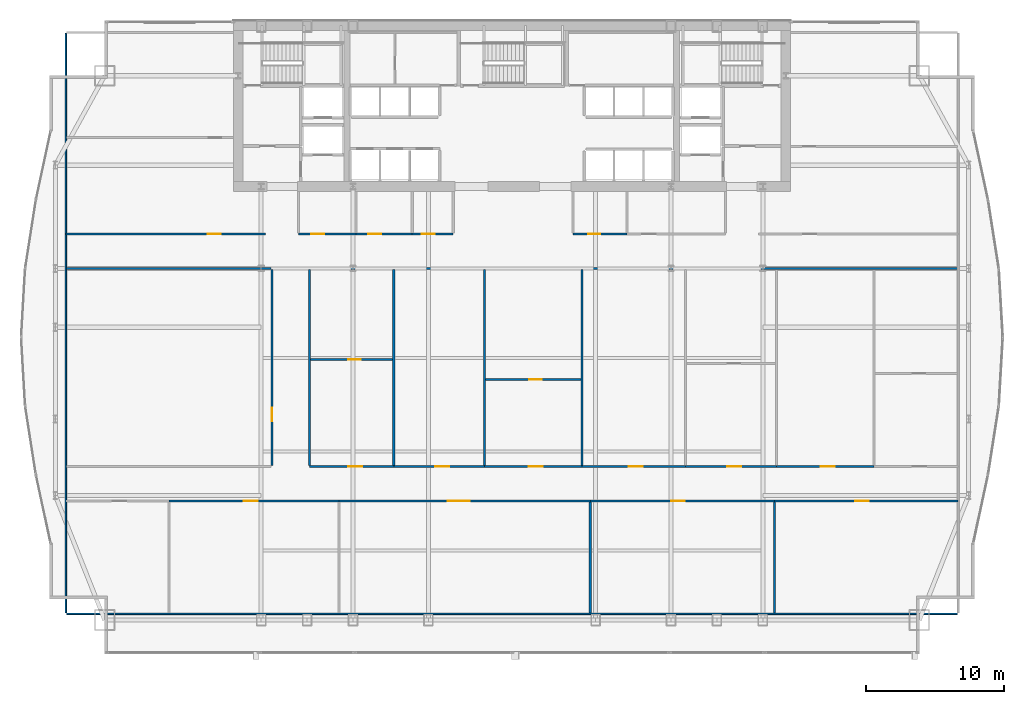
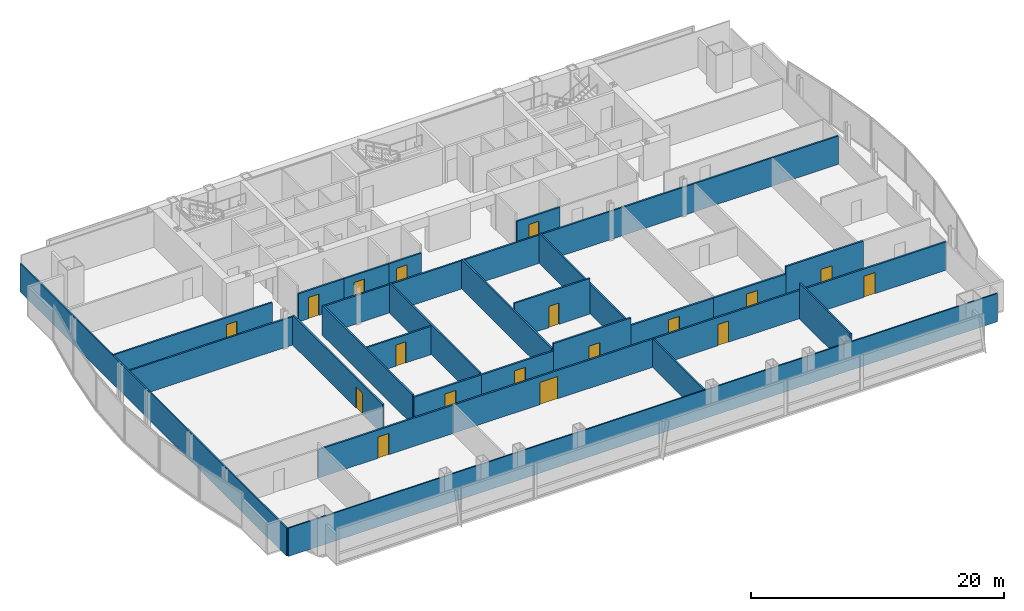
# One storey, part 26 of 32: 28 walls, 18 doors, 18 openings.
"""IFC4 building model written with IfcOpenShell, lengths in metres."""

from ifc_helpers import new_model, si_unit, direction, frame, frame_2d, origin, place, context, subcontext, project, spatial, rectangle, extrude, material, layer, layer_set, type_object, element, fill, save


model = new_model("IFC4")

# Units and contexts
model_context = context("Model", 3, precision=1e-05, world=origin(), true_north=direction((0.0, 1.0)))
body_context = subcontext(model_context, "Body", "Model", "MODEL_VIEW")
ifc_project = project(units=[si_unit("LENGTHUNIT", "METRE"), si_unit("AREAUNIT", "SQUARE_METRE"), si_unit("VOLUMEUNIT", "CUBIC_METRE"), si_unit("PLANEANGLEUNIT", "RADIAN"), si_unit("MASSUNIT", "GRAM", prefix="KILO")], contexts=[model_context])

# Site, building, storey
site_placement = place(None, origin())
site = spatial("IfcSite", under=ifc_project, at=site_placement, CompositionType="ELEMENT")
building_placement = place(site_placement, origin())
building = spatial("IfcBuilding", under=site, at=building_placement, Name="Khoronbel Lancet Exchange", CompositionType="ELEMENT")
storey_placement = place(building_placement, frame((0.0, 0.0, 111.0)))
storey = spatial("IfcBuildingStorey", under=building, at=storey_placement, Name="L26", CompositionType="ELEMENT", Elevation=111.0)

# Wall, opening, door
ifc_material_1 = material(Name="Acoustic Metal-Stud & Mineral-Wool Gypsum Partition 120 mm", Category="gypsum")
ifc_layer_1 = layer(ifc_material_1, 0.1201171875, Name="Acoustic Metal-Stud & Mineral-Wool Gypsum Partition 120 mm")
ifc_layer_set_1 = layer_set([ifc_layer_1], Name="Acoustic Metal-Stud & Mineral-Wool Gypsum Partition 120 mm")
wall_type_1 = type_object("IfcWallType", Name="WL-PRT120", PredefinedType="PARTITIONING", material=ifc_layer_set_1)
wall_1_placement = place(storey_placement, frame((21.81005859375, 29.075927734375, 0.0), z_axis=(0.0, 0.0, 1.0), x_axis=(1.0, 0.0, 0.0)))
wall_1 = element("IfcWall", 1, at=wall_1_placement, inside=storey, type_object=wall_type_1, Name="Level L26 interior partition PW-Z2N-H1", PredefinedType="PARTITIONING", context=body_context, shape_type="SweptSolid", body=[
    extrude(rectangle(XDim=5.96826171875, YDim=0.14990234375, at=frame_2d((2.984130859375, 0.0))), origin(), (0.0, 0.0, 1.0), 2.72998046875),
])
opening_1_placement = place(wall_1_placement, frame((2.7578125, 0.0, 0.0)))
opening_1 = element("IfcOpeningElement", 2, at=opening_1_placement, cuts=wall_1, Name="Opening D5", PredefinedType="OPENING", context=body_context, shape_type="SweptSolid", body=[
    extrude(rectangle(XDim=0.89990234375, YDim=2.050048828125, at=frame_2d((0.449951171875, 1.02490234375))), frame((0.0, 0.0849609375, 0.0), z_axis=(0.0, -1.0, 0.0), x_axis=(1.0, 0.0, 0.0)), (0.0, 0.0, 1.0), 0.169921875),
])
ifc_material_2 = material(Name="Acoustic Timber Pantry & Support Door", Category="wood")
door_type_1 = type_object("IfcDoorType", Name="DR-D5", OperationType="NOTDEFINED", PredefinedType="DOOR", material=ifc_material_2)
door_1_placement = place(opening_1_placement, origin())
door_1 = element("IfcDoor", 3, at=door_1_placement, inside=storey, type_object=door_type_1, Name="Z2N inner door 1 L26-1", OperationType="SINGLE_SWING_LEFT", OverallHeight=2.050048828125, OverallWidth=0.89990234375, PredefinedType="DOOR", context=body_context, shape_type="SweptSolid", body=[
    extrude(rectangle(XDim=0.89990234375, YDim=2.050048828125, at=frame_2d((0.449951171875, 1.02490234375))), frame((0.0, 0.02490234375, 0.0), z_axis=(0.0, -1.0, 0.0), x_axis=(1.0, 0.0, 0.0)), (0.0, 0.0, 1.0), 0.050048828125),
])
fill(opening_1, door_1)

wall_2_placement = place(storey_placement, frame((34.537841796875, 27.635986328125, 0.0), z_axis=(0.0, 0.0, 1.0), x_axis=(1.0, 0.0, 0.0)))
wall_2 = element("IfcWall", 4, at=wall_2_placement, inside=storey, type_object=wall_type_1, Name="Level L26 interior partition PW-Z2N-H3", PredefinedType="PARTITIONING", context=body_context, shape_type="SweptSolid", body=[
    extrude(rectangle(XDim=6.910888671875, YDim=0.14990234375, at=frame_2d((3.45556640625, 0.0))), origin(), (0.0, 0.0, 1.0), 3.43994140625),
])
opening_2_placement = place(wall_2_placement, frame((3.181884765625, 0.0, 0.0)))
opening_2 = element("IfcOpeningElement", 5, at=opening_2_placement, cuts=wall_2, Name="Opening D5", PredefinedType="OPENING", context=body_context, shape_type="SweptSolid", body=[
    extrude(rectangle(XDim=0.89990234375, YDim=2.050048828125, at=frame_2d((0.449951171875, 1.02490234375))), frame((0.0, 0.0849609375, 0.0), z_axis=(0.0, -1.0, 0.0), x_axis=(1.0, 0.0, 0.0)), (0.0, 0.0, 1.0), 0.169921875),
])
door_2_placement = place(opening_2_placement, origin())
door_2 = element("IfcDoor", 6, at=door_2_placement, inside=storey, type_object=door_type_1, Name="Z2N inner door 3 L26-1", OperationType="SINGLE_SWING_RIGHT", OverallHeight=2.050048828125, OverallWidth=0.89990234375, PredefinedType="DOOR", context=body_context, shape_type="SweptSolid", body=[
    extrude(rectangle(XDim=0.89990234375, YDim=2.050048828125, at=frame_2d((0.449951171875, 1.02490234375))), frame((0.0, 0.02490234375, 0.0), z_axis=(0.0, -1.0, 0.0), x_axis=(1.0, 0.0, 0.0)), (0.0, 0.0, 1.0), 0.050048828125),
])
fill(opening_2, door_2)

# Walls
wall_3_placement = place(storey_placement, frame((4.030029296875, 10.6650390625, 0.0), z_axis=(0.0, 0.0, 1.0), x_axis=(0.0, 1.0, 0.0)))
element("IfcWall", 7, at=wall_3_placement, inside=storey, type_object=wall_type_1, Name="Level L26 interior partition PW-LIN-W", PredefinedType="PARTITIONING", context=body_context, shape_type="SweptSolid", body=[
    extrude(rectangle(XDim=42.10986328125, YDim=0.1201171875, at=frame_2d((21.054931640625, 0.0))), origin(), (0.0, 0.0, 1.0), 2.72998046875),
])
wall_4_placement = place(storey_placement, frame((4.094970703125, 10.60009765625, 0.0), z_axis=(0.0, 0.0, 1.0), x_axis=(1.0, 0.0, 0.0)))
element("IfcWall", 8, at=wall_4_placement, inside=storey, type_object=wall_type_1, Name="Level L26 interior partition PW-LIN-S", PredefinedType="PARTITIONING", context=body_context, shape_type="SweptSolid", body=[
    extrude(rectangle(XDim=64.7099609375, YDim=0.1201171875, at=frame_2d((32.35498046875, 0.0))), origin(), (0.0, 0.0, 1.0), 2.72998046875),
])

# Wall, opening, door
ifc_material_3 = material(Name="Fire-Rated Twin-Stud Acoustic Gypsum Partition 150 mm", Category="gypsum")
ifc_layer_2 = layer(ifc_material_3, 0.14990234375, Name="Fire-Rated Twin-Stud Acoustic Gypsum Partition 150 mm")
ifc_layer_set_2 = layer_set([ifc_layer_2], Name="Fire-Rated Twin-Stud Acoustic Gypsum Partition 150 mm")
wall_type_2 = type_object("IfcWallType", Name="WL-PRT150C", PredefinedType="PARTITIONING", material=ifc_layer_set_2)
wall_5_placement = place(storey_placement, frame((20.949951171875, 38.199951171875, 0.0), z_axis=(0.0, 0.0, 1.0), x_axis=(1.0, 0.0, 0.0)))
wall_5 = element("IfcWall", 9, at=wall_5_placement, inside=storey, type_object=wall_type_2, Name="Level L26 interior partition PW-WC-S1", PredefinedType="PARTITIONING", context=body_context, shape_type="SweptSolid", body=[
    extrude(rectangle(XDim=4.150146484375, YDim=0.14990234375, at=frame_2d((2.0751953125, 0.0))), origin(), (0.0, 0.0, 1.0), 2.72998046875),
])
opening_3_placement = place(wall_5_placement, frame((0.89990234375, 0.0, 0.0)))
opening_3 = element("IfcOpeningElement", 10, at=opening_3_placement, cuts=wall_5, Name="Opening D4", PredefinedType="OPENING", context=body_context, shape_type="SweptSolid", body=[
    extrude(rectangle(XDim=0.949951171875, YDim=2.050048828125, at=frame_2d((0.47509765625, 1.02490234375))), frame((0.0, 0.0849609375, 0.0), z_axis=(0.0, -1.0, 0.0), x_axis=(1.0, 0.0, 0.0)), (0.0, 0.0, 1.0), 0.169921875),
])
ifc_material_4 = material(Name="Moisture-Resistant HPL Washroom Door", Category="wood")
door_type_2 = type_object("IfcDoorType", Name="DR-D4", OperationType="NOTDEFINED", PredefinedType="DOOR", material=ifc_material_4)
door_3_placement = place(opening_3_placement, origin())
door_3 = element("IfcDoor", 11, at=door_3_placement, inside=storey, type_object=door_type_2, Name="Male washroom door L26-1", OperationType="SINGLE_SWING_RIGHT", OverallHeight=2.050048828125, OverallWidth=0.949951171875, PredefinedType="DOOR", context=body_context, shape_type="SweptSolid", body=[
    extrude(rectangle(XDim=0.949951171875, YDim=2.050048828125, at=frame_2d((0.47509765625, 1.02490234375))), frame((0.0, 0.02490234375, 0.0), z_axis=(0.0, -1.0, 0.0), x_axis=(1.0, 0.0, 0.0)), (0.0, 0.0, 1.0), 0.050048828125),
])
fill(opening_3, door_3)

wall_6_placement = place(storey_placement, frame((25.10009765625, 38.199951171875, 0.0), z_axis=(0.0, 0.0, 1.0), x_axis=(1.0, 0.0, 0.0)))
wall_6 = element("IfcWall", 12, at=wall_6_placement, inside=storey, type_object=wall_type_2, Name="Level L26 interior partition PW-WC-S2", PredefinedType="PARTITIONING", context=body_context, shape_type="SweptSolid", body=[
    extrude(rectangle(XDim=4.099853515625, YDim=0.14990234375, at=frame_2d((2.0498046875, 0.0))), origin(), (0.0, 0.0, 1.0), 2.72998046875),
])
opening_4_placement = place(wall_6_placement, frame((0.89990234375, 0.0, 0.0)))
opening_4 = element("IfcOpeningElement", 13, at=opening_4_placement, cuts=wall_6, Name="Opening D4", PredefinedType="OPENING", context=body_context, shape_type="SweptSolid", body=[
    extrude(rectangle(XDim=0.949951171875, YDim=2.050048828125, at=frame_2d((0.47509765625, 1.02490234375))), frame((0.0, 0.0849609375, 0.0), z_axis=(0.0, -1.0, 0.0), x_axis=(1.0, 0.0, 0.0)), (0.0, 0.0, 1.0), 0.169921875),
])
door_4_placement = place(opening_4_placement, origin())
door_4 = element("IfcDoor", 14, at=door_4_placement, inside=storey, type_object=door_type_2, Name="Female washroom door L26-1", OperationType="SINGLE_SWING_LEFT", OverallHeight=2.050048828125, OverallWidth=0.949951171875, PredefinedType="DOOR", context=body_context, shape_type="SweptSolid", body=[
    extrude(rectangle(XDim=0.949951171875, YDim=2.050048828125, at=frame_2d((0.47509765625, 1.02490234375))), frame((0.0, 0.02490234375, 0.0), z_axis=(0.0, -1.0, 0.0), x_axis=(1.0, 0.0, 0.0)), (0.0, 0.0, 1.0), 0.050048828125),
])
fill(opening_4, door_4)

wall_7_placement = place(storey_placement, frame((29.199951171875, 38.199951171875, 0.0), z_axis=(0.0, 0.0, 1.0), x_axis=(1.0, 0.0, 0.0)))
wall_7 = element("IfcWall", 15, at=wall_7_placement, inside=storey, type_object=wall_type_2, Name="Level L26 interior partition PW-WC-S3", PredefinedType="PARTITIONING", context=body_context, shape_type="SweptSolid", body=[
    extrude(rectangle(XDim=2.97998046875, YDim=0.14990234375, at=frame_2d((1.489990234375, 0.0))), origin(), (0.0, 0.0, 1.0), 2.72998046875),
])
opening_5_placement = place(wall_7_placement, frame((0.699951171875, 0.0, 0.0)))
opening_5 = element("IfcOpeningElement", 16, at=opening_5_placement, cuts=wall_7, Name="Opening D4", PredefinedType="OPENING", context=body_context, shape_type="SweptSolid", body=[
    extrude(rectangle(XDim=0.949951171875, YDim=2.050048828125, at=frame_2d((0.47509765625, 1.02490234375))), frame((0.0, 0.0849609375, 0.0), z_axis=(0.0, -1.0, 0.0), x_axis=(1.0, 0.0, 0.0)), (0.0, 0.0, 1.0), 0.169921875),
])
door_5_placement = place(opening_5_placement, origin())
door_5 = element("IfcDoor", 17, at=door_5_placement, inside=storey, type_object=door_type_2, Name="Accessible WC door L26-1", OperationType="SINGLE_SWING_RIGHT", OverallHeight=2.050048828125, OverallWidth=0.949951171875, PredefinedType="DOOR", context=body_context, shape_type="SweptSolid", body=[
    extrude(rectangle(XDim=0.949951171875, YDim=2.050048828125, at=frame_2d((0.47509765625, 1.02490234375))), frame((0.0, 0.02490234375, 0.0), z_axis=(0.0, -1.0, 0.0), x_axis=(1.0, 0.0, 0.0)), (0.0, 0.0, 1.0), 0.050048828125),
])
fill(opening_5, door_5)

wall_8_placement = place(storey_placement, frame((40.8798828125, 38.199951171875, 0.0), z_axis=(0.0, 0.0, 1.0), x_axis=(1.0, 0.0, 0.0)))
wall_8 = element("IfcWall", 18, at=wall_8_placement, inside=storey, type_object=wall_type_2, Name="Level L26 interior partition PW-NP-S1", PredefinedType="PARTITIONING", context=body_context, shape_type="SweptSolid", body=[
    extrude(rectangle(XDim=3.920166015625, YDim=0.14990234375, at=frame_2d((1.9599609375, 0.0))), origin(), (0.0, 0.0, 1.0), 2.72998046875),
])
opening_6_placement = place(wall_8_placement, frame((1.10009765625, 0.0, 0.0)))
opening_6 = element("IfcOpeningElement", 19, at=opening_6_placement, cuts=wall_8, Name="Opening D5", PredefinedType="OPENING", context=body_context, shape_type="SweptSolid", body=[
    extrude(rectangle(XDim=0.89990234375, YDim=2.050048828125, at=frame_2d((0.449951171875, 1.02490234375))), frame((0.0, 0.0849609375, 0.0), z_axis=(0.0, -1.0, 0.0), x_axis=(1.0, 0.0, 0.0)), (0.0, 0.0, 1.0), 0.169921875),
])
door_6_placement = place(opening_6_placement, origin())
door_6 = element("IfcDoor", 20, at=door_6_placement, inside=storey, type_object=door_type_1, Name="Floor refreshment pantry door L26-1", OperationType="SINGLE_SWING_LEFT", OverallHeight=2.050048828125, OverallWidth=0.89990234375, PredefinedType="DOOR", context=body_context, shape_type="SweptSolid", body=[
    extrude(rectangle(XDim=0.89990234375, YDim=2.050048828125, at=frame_2d((0.449951171875, 1.02490234375))), frame((0.0, 0.02490234375, 0.0), z_axis=(0.0, -1.0, 0.0), x_axis=(1.0, 0.0, 0.0)), (0.0, 0.0, 1.0), 0.050048828125),
])
fill(opening_6, door_6)

wall_9_placement = place(storey_placement, frame((4.030029296875, 38.199951171875, 0.0), z_axis=(0.0, 0.0, 1.0), x_axis=(1.0, 0.0, 0.0)))
wall_9 = element("IfcWall", 21, at=wall_9_placement, inside=storey, type_object=wall_type_2, Name="Level L26 interior partition PW-NW-S", PredefinedType="PARTITIONING", context=body_context, shape_type="SweptSolid", body=[
    extrude(rectangle(XDim=14.52001953125, YDim=0.14990234375, at=frame_2d((7.260009765625, 0.0))), origin(), (0.0, 0.0, 1.0), 2.72998046875),
])
opening_7_placement = place(wall_9_placement, frame((10.320068359375, 0.0, 0.0)))
opening_7 = element("IfcOpeningElement", 22, at=opening_7_placement, cuts=wall_9, Name="Opening D1", PredefinedType="OPENING", context=body_context, shape_type="SweptSolid", body=[
    extrude(rectangle(XDim=0.949951171875, YDim=2.050048828125, at=frame_2d((0.47509765625, 1.02490234375))), frame((0.0, 0.0849609375, 0.0), z_axis=(0.0, -1.0, 0.0), x_axis=(1.0, 0.0, 0.0)), (0.0, 0.0, 1.0), 0.169921875),
])
ifc_material_5 = material(Name="Acoustic Veneered Timber & Bronze Frame Door", Category="wood")
door_type_3 = type_object("IfcDoorType", Name="DR-D1", OperationType="NOTDEFINED", PredefinedType="DOOR", material=ifc_material_5)
door_7_placement = place(opening_7_placement, origin())
door_7 = element("IfcDoor", 23, at=door_7_placement, inside=storey, type_object=door_type_3, Name="NW corner room door L26-1", OperationType="SINGLE_SWING_LEFT", OverallHeight=2.050048828125, OverallWidth=0.949951171875, PredefinedType="DOOR", context=body_context, shape_type="SweptSolid", body=[
    extrude(rectangle(XDim=0.949951171875, YDim=2.050048828125, at=frame_2d((0.47509765625, 1.02490234375))), frame((0.0, 0.02490234375, 0.0), z_axis=(0.0, -1.0, 0.0), x_axis=(1.0, 0.0, 0.0)), (0.0, 0.0, 1.0), 0.050048828125),
])
fill(opening_7, door_7)

# Walls
wall_10_placement = place(storey_placement, frame((42.135986328125, 10.6650390625, 0.0), z_axis=(0.0, 0.0, 1.0), x_axis=(0.0, 1.0, 0.0)))
element("IfcWall", 24, at=wall_10_placement, inside=storey, type_object=wall_type_2, Name="Level L26 interior partition PW-Z2S-V3", PredefinedType="PARTITIONING", context=body_context, shape_type="SweptSolid", body=[
    extrude(rectangle(XDim=8.050048828125, YDim=0.14990234375, at=frame_2d((4.02490234375, 0.0))), origin(), (0.0, 0.0, 1.0), 2.72998046875),
])
wall_11_placement = place(storey_placement, frame((55.51611328125, 10.6650390625, 0.0), z_axis=(0.0, 0.0, 1.0), x_axis=(0.0, 1.0, 0.0)))
element("IfcWall", 25, at=wall_11_placement, inside=storey, type_object=wall_type_2, Name="Level L26 interior partition PW-Z2S-V4", PredefinedType="PARTITIONING", context=body_context, shape_type="SweptSolid", body=[
    extrude(rectangle(XDim=8.050048828125, YDim=0.14990234375, at=frame_2d((4.02490234375, 0.0))), origin(), (0.0, 0.0, 1.0), 3.43994140625),
])

# Wall, opening, door
wall_12_placement = place(storey_placement, frame((19.02001953125, 21.3798828125, 0.0), z_axis=(0.0, 0.0, 1.0), x_axis=(0.0, 1.0, 0.0)))
wall_12 = element("IfcWall", 26, at=wall_12_placement, inside=storey, type_object=wall_type_2, Name="Level L26 interior partition PW-Z2-WLK", PredefinedType="PARTITIONING", context=body_context, shape_type="SweptSolid", body=[
    extrude(rectangle(XDim=14.240234375, YDim=0.14990234375, at=frame_2d((7.1201171875, 0.0))), origin(), (0.0, 0.0, 1.0), 2.8798828125),
])
opening_8_placement = place(wall_12_placement, frame((3.199951171875, 0.0, 0.0)))
opening_8 = element("IfcOpeningElement", 27, at=opening_8_placement, cuts=wall_12, Name="Opening D2", PredefinedType="OPENING", context=body_context, shape_type="SweptSolid", body=[
    extrude(rectangle(XDim=1.0, YDim=2.050048828125, at=frame_2d((0.5, 1.02490234375))), frame((0.0, 0.0849609375, 0.0), z_axis=(0.0, -1.0, 0.0), x_axis=(1.0, 0.0, 0.0)), (0.0, 0.0, 1.0), 0.169921875),
])
door_type_4 = type_object("IfcDoorType", Name="DR-D2", OperationType="NOTDEFINED", PredefinedType="DOOR", material=ifc_material_5)
door_8_placement = place(opening_8_placement, origin())
door_8 = element("IfcDoor", 28, at=door_8_placement, inside=storey, type_object=door_type_4, Name="West mid-band room door L26-1", OperationType="SINGLE_SWING_LEFT", OverallHeight=2.050048828125, OverallWidth=1.0, PredefinedType="DOOR", context=body_context, shape_type="SweptSolid", body=[
    extrude(rectangle(XDim=1.0, YDim=2.050048828125, at=frame_2d((0.5, 1.02490234375))), frame((0.0, 0.02490234375, 0.0), z_axis=(0.0, -1.0, 0.0), x_axis=(1.0, 0.0, 0.0)), (0.0, 0.0, 1.0), 0.050048828125),
])
fill(opening_8, door_8)

# Walls
wall_13_placement = place(storey_placement, frame((4.094970703125, 35.699951171875, 0.0), z_axis=(0.0, 0.0, 1.0), x_axis=(1.0, 0.0, 0.0)))
element("IfcWall", 29, at=wall_13_placement, inside=storey, type_object=wall_type_2, Name="Level L26 interior partition PW-Z2-WN", PredefinedType="PARTITIONING", context=body_context, shape_type="SweptSolid", body=[
    extrude(rectangle(XDim=14.844970703125, YDim=0.14990234375, at=frame_2d((7.42236328125, 0.0))), origin(), (0.0, 0.0, 1.0), 2.72998046875),
])
wall_14_placement = place(storey_placement, frame((21.72998046875, 21.385009765625, 0.0), z_axis=(0.0, 0.0, 1.0), x_axis=(0.0, 1.0, 0.0)))
element("IfcWall", 30, at=wall_14_placement, inside=storey, type_object=wall_type_2, Name="Level L26 interior partition PW-Z2-ELK", PredefinedType="PARTITIONING", context=body_context, shape_type="SweptSolid", body=[
    extrude(rectangle(XDim=14.235107421875, YDim=0.14990234375, at=frame_2d((7.11767578125, 0.0))), origin(), (0.0, 0.0, 1.0), 2.8798828125),
])
wall_15_placement = place(storey_placement, frame((21.81005859375, 35.699951171875, 0.0), z_axis=(0.0, 0.0, 1.0), x_axis=(1.0, 0.0, 0.0)))
element("IfcWall", 31, at=wall_15_placement, inside=storey, type_object=wall_type_2, Name="Level L26 interior partition PW-Z2-EN", PredefinedType="PARTITIONING", context=body_context, shape_type="SweptSolid", body=[
    extrude(rectangle(XDim=46.994873046875, YDim=0.14990234375, at=frame_2d((23.49755859375, 0.0))), origin(), (0.0, 0.0, 1.0), 2.72998046875),
])
for number, where, z_axis, x_axis, name in (
    (32, (27.858154296875, 21.385009765625, 0.0), (0.0, 0.0, 1.0), (0.0, 1.0, 0.0), "Level L26 interior partition PW-Z2N-V1"),
    (33, (34.457763671875, 21.385009765625, 0.0), (0.0, 0.0, 1.0), (0.0, 1.0, 0.0), "Level L26 interior partition PW-Z2N-V2"),
    (34, (41.52880859375, 21.385009765625, 0.0), (0.0, 0.0, 1.0), (0.0, 1.0, 0.0), "Level L26 interior partition PW-Z2N-V3"),
):
    element("IfcWall", number, at=place(storey_placement, frame(where, z_axis=z_axis, x_axis=x_axis)), inside=storey, type_object=wall_type_2, Name=name, PredefinedType="PARTITIONING", context=body_context, shape_type="SweptSolid", body=[
        extrude(rectangle(XDim=14.235107421875, YDim=0.14990234375, at=frame_2d((7.11767578125, 0.0))), origin(), (0.0, 0.0, 1.0), 2.8798828125),
    ])

# Wall, opening, door
ifc_material_6 = material(Name="Fire-Rated Twin-Stud Acoustic Gypsum Partition 160 mm", Category="gypsum")
ifc_layer_3 = layer(ifc_material_6, 0.159912109375, Name="Fire-Rated Twin-Stud Acoustic Gypsum Partition 160 mm")
ifc_layer_set_3 = layer_set([ifc_layer_3], Name="Fire-Rated Twin-Stud Acoustic Gypsum Partition 160 mm")
wall_type_3 = type_object("IfcWallType", Name="WL-PRT160C", PredefinedType="PARTITIONING", material=ifc_layer_set_3)
wall_16_placement = place(storey_placement, frame((11.54150390625, 18.800048828125, 0.0), z_axis=(0.0, 0.0, 1.0), x_axis=(1.0, 0.0, 0.0)))
wall_16 = element("IfcWall", 35, at=wall_16_placement, inside=storey, type_object=wall_type_3, Name="Level L26 interior partition PW-Z2S-COR2", PredefinedType="PARTITIONING", context=body_context, shape_type="SweptSolid", body=[
    extrude(rectangle(XDim=12.3369140625, YDim=0.159912109375, at=frame_2d((6.16845703125, 0.0))), origin(), (0.0, 0.0, 1.0), 2.72998046875),
])
opening_9_placement = place(wall_16_placement, frame((5.431396484375, 0.0, 0.0)))
opening_9 = element("IfcOpeningElement", 36, at=opening_9_placement, cuts=wall_16, Name="Opening D2", PredefinedType="OPENING", context=body_context, shape_type="SweptSolid", body=[
    extrude(rectangle(XDim=1.0, YDim=2.050048828125, at=frame_2d((0.5, 1.02490234375))), frame((0.0, 0.08984375, 0.0), z_axis=(0.0, -1.0, 0.0), x_axis=(1.0, 0.0, 0.0)), (0.0, 0.0, 1.0), 0.179931640625),
])
door_9_placement = place(opening_9_placement, origin())
door_9 = element("IfcDoor", 37, at=door_9_placement, inside=storey, type_object=door_type_4, Name="Z2S bay 2 door L26-1", OperationType="SINGLE_SWING_RIGHT", OverallHeight=2.050048828125, OverallWidth=1.0, PredefinedType="DOOR", context=body_context, shape_type="SweptSolid", body=[
    extrude(rectangle(XDim=1.0, YDim=2.050048828125, at=frame_2d((0.5, 1.02490234375))), frame((0.0, 0.02490234375, 0.0), z_axis=(0.0, -1.0, 0.0), x_axis=(1.0, 0.0, 0.0)), (0.0, 0.0, 1.0), 0.050048828125),
])
fill(opening_9, door_9)

wall_17_placement = place(storey_placement, frame((23.87841796875, 18.800048828125, 0.0), z_axis=(0.0, 0.0, 1.0), x_axis=(1.0, 0.0, 0.0)))
wall_17 = element("IfcWall", 38, at=wall_17_placement, inside=storey, type_object=wall_type_3, Name="Level L26 interior partition PW-Z2S-COR3", PredefinedType="PARTITIONING", context=body_context, shape_type="SweptSolid", body=[
    extrude(rectangle(XDim=18.257568359375, YDim=0.159912109375, at=frame_2d((9.12890625, 0.0))), origin(), (0.0, 0.0, 1.0), 2.72998046875),
])
opening_10_placement = place(wall_17_placement, frame((7.918212890625, 0.0, 0.0)))
opening_10 = element("IfcOpeningElement", 39, at=opening_10_placement, cuts=wall_17, Name="Opening D3", PredefinedType="OPENING", context=body_context, shape_type="SweptSolid", body=[
    extrude(rectangle(XDim=1.60009765625, YDim=2.14990234375, at=frame_2d((0.800048828125, 1.074951171875))), frame((0.0, 0.08984375, 0.0), z_axis=(0.0, -1.0, 0.0), x_axis=(1.0, 0.0, 0.0)), (0.0, 0.0, 1.0), 0.179931640625),
])
ifc_material_7 = material(Name="Glazed Bronze-Framed Double Suite Door", Category="aluminium")
door_type_5 = type_object("IfcDoorType", Name="DR-D3", OperationType="NOTDEFINED", PredefinedType="DOOR", material=ifc_material_7)
door_10_placement = place(opening_10_placement, origin())
door_10 = element("IfcDoor", 40, at=door_10_placement, inside=storey, type_object=door_type_5, Name="Z2S bay 3 door L26-1", OperationType="DOUBLE_DOOR_SINGLE_SWING", OverallHeight=2.14990234375, OverallWidth=1.60009765625, PredefinedType="DOOR", context=body_context, shape_type="SweptSolid", body=[
    extrude(rectangle(XDim=1.60009765625, YDim=2.14990234375, at=frame_2d((0.800048828125, 1.074951171875))), frame((0.0, 0.02490234375, 0.0), z_axis=(0.0, -1.0, 0.0), x_axis=(1.0, 0.0, 0.0)), (0.0, 0.0, 1.0), 0.050048828125),
])
fill(opening_10, door_10)

wall_18_placement = place(storey_placement, frame((42.135986328125, 18.800048828125, 0.0), z_axis=(0.0, 0.0, 1.0), x_axis=(1.0, 0.0, 0.0)))
wall_18 = element("IfcWall", 41, at=wall_18_placement, inside=storey, type_object=wall_type_3, Name="Level L26 interior partition PW-Z2S-COR4", PredefinedType="PARTITIONING", context=body_context, shape_type="SweptSolid", body=[
    extrude(rectangle(XDim=13.380126953125, YDim=0.159912109375, at=frame_2d((6.68994140625, 0.0))), origin(), (0.0, 0.0, 1.0), 2.72998046875),
])
opening_11_placement = place(wall_18_placement, frame((5.86962890625, 0.0, 0.0)))
opening_11 = element("IfcOpeningElement", 42, at=opening_11_placement, cuts=wall_18, Name="Opening D2", PredefinedType="OPENING", context=body_context, shape_type="SweptSolid", body=[
    extrude(rectangle(XDim=1.0, YDim=2.050048828125, at=frame_2d((0.5, 1.02490234375))), frame((0.0, 0.08984375, 0.0), z_axis=(0.0, -1.0, 0.0), x_axis=(1.0, 0.0, 0.0)), (0.0, 0.0, 1.0), 0.179931640625),
])
door_11_placement = place(opening_11_placement, origin())
door_11 = element("IfcDoor", 43, at=door_11_placement, inside=storey, type_object=door_type_4, Name="Z2S bay 4 door L26-1", OperationType="SINGLE_SWING_LEFT", OverallHeight=2.050048828125, OverallWidth=1.0, PredefinedType="DOOR", context=body_context, shape_type="SweptSolid", body=[
    extrude(rectangle(XDim=1.0, YDim=2.050048828125, at=frame_2d((0.5, 1.02490234375))), frame((0.0, 0.02490234375, 0.0), z_axis=(0.0, -1.0, 0.0), x_axis=(1.0, 0.0, 0.0)), (0.0, 0.0, 1.0), 0.050048828125),
])
fill(opening_11, door_11)

wall_19_placement = place(storey_placement, frame((55.51611328125, 18.800048828125, 0.0), z_axis=(0.0, 0.0, 1.0), x_axis=(1.0, 0.0, 0.0)))
wall_19 = element("IfcWall", 44, at=wall_19_placement, inside=storey, type_object=wall_type_3, Name="Level L26 interior partition PW-Z2S-COR5", PredefinedType="PARTITIONING", context=body_context, shape_type="SweptSolid", body=[
    extrude(rectangle(XDim=13.35400390625, YDim=0.159912109375, at=frame_2d((6.677001953125, 0.0))), origin(), (0.0, 0.0, 1.0), 2.72998046875),
])
opening_12_placement = place(wall_19_placement, frame((5.858642578125, 0.0, 0.0)))
opening_12 = element("IfcOpeningElement", 45, at=opening_12_placement, cuts=wall_19, Name="Opening D2", PredefinedType="OPENING", context=body_context, shape_type="SweptSolid", body=[
    extrude(rectangle(XDim=1.0, YDim=2.050048828125, at=frame_2d((0.5, 1.02490234375))), frame((0.0, 0.08984375, 0.0), z_axis=(0.0, -1.0, 0.0), x_axis=(1.0, 0.0, 0.0)), (0.0, 0.0, 1.0), 0.179931640625),
])
door_12_placement = place(opening_12_placement, origin())
door_12 = element("IfcDoor", 46, at=door_12_placement, inside=storey, type_object=door_type_4, Name="Z2S bay 5 door L26-1", OperationType="SINGLE_SWING_RIGHT", OverallHeight=2.050048828125, OverallWidth=1.0, PredefinedType="DOOR", context=body_context, shape_type="SweptSolid", body=[
    extrude(rectangle(XDim=1.0, YDim=2.050048828125, at=frame_2d((0.5, 1.02490234375))), frame((0.0, 0.02490234375, 0.0), z_axis=(0.0, -1.0, 0.0), x_axis=(1.0, 0.0, 0.0)), (0.0, 0.0, 1.0), 0.050048828125),
])
fill(opening_12, door_12)

wall_20_placement = place(storey_placement, frame((21.72998046875, 21.300048828125, 0.0), z_axis=(0.0, 0.0, 1.0), x_axis=(1.0, 0.0, 0.0)))
wall_20 = element("IfcWall", 47, at=wall_20_placement, inside=storey, type_object=wall_type_3, Name="Level L26 interior partition PW-Z2N-COR1", PredefinedType="PARTITIONING", context=body_context, shape_type="SweptSolid", body=[
    extrude(rectangle(XDim=6.128173828125, YDim=0.159912109375, at=frame_2d((3.06396484375, 0.0))), origin(), (0.0, 0.0, 1.0), 2.72998046875),
])
opening_13_placement = place(wall_20_placement, frame((2.82373046875, 0.0, 0.0)))
opening_13 = element("IfcOpeningElement", 48, at=opening_13_placement, cuts=wall_20, Name="Opening D2", PredefinedType="OPENING", context=body_context, shape_type="SweptSolid", body=[
    extrude(rectangle(XDim=1.0, YDim=2.050048828125, at=frame_2d((0.5, 1.02490234375))), frame((0.0, 0.08984375, 0.0), z_axis=(0.0, -1.0, 0.0), x_axis=(1.0, 0.0, 0.0)), (0.0, 0.0, 1.0), 0.179931640625),
])
door_13_placement = place(opening_13_placement, origin())
door_13 = element("IfcDoor", 49, at=door_13_placement, inside=storey, type_object=door_type_4, Name="Z2N bay 1 door L26-1", OperationType="SINGLE_SWING_RIGHT", OverallHeight=2.050048828125, OverallWidth=1.0, PredefinedType="DOOR", context=body_context, shape_type="SweptSolid", body=[
    extrude(rectangle(XDim=1.0, YDim=2.050048828125, at=frame_2d((0.5, 1.02490234375))), frame((0.0, 0.02490234375, 0.0), z_axis=(0.0, -1.0, 0.0), x_axis=(1.0, 0.0, 0.0)), (0.0, 0.0, 1.0), 0.050048828125),
])
fill(opening_13, door_13)

wall_21_placement = place(storey_placement, frame((27.858154296875, 21.300048828125, 0.0), z_axis=(0.0, 0.0, 1.0), x_axis=(1.0, 0.0, 0.0)))
wall_21 = element("IfcWall", 50, at=wall_21_placement, inside=storey, type_object=wall_type_3, Name="Level L26 interior partition PW-Z2N-COR2", PredefinedType="PARTITIONING", context=body_context, shape_type="SweptSolid", body=[
    extrude(rectangle(XDim=6.599609375, YDim=0.159912109375, at=frame_2d((3.2998046875, 0.0))), origin(), (0.0, 0.0, 1.0), 2.72998046875),
])
opening_14_placement = place(wall_21_placement, frame((3.021728515625, 0.0, 0.0)))
opening_14 = element("IfcOpeningElement", 51, at=opening_14_placement, cuts=wall_21, Name="Opening D2", PredefinedType="OPENING", context=body_context, shape_type="SweptSolid", body=[
    extrude(rectangle(XDim=1.0, YDim=2.050048828125, at=frame_2d((0.5, 1.02490234375))), frame((0.0, 0.08984375, 0.0), z_axis=(0.0, -1.0, 0.0), x_axis=(1.0, 0.0, 0.0)), (0.0, 0.0, 1.0), 0.179931640625),
])
door_14_placement = place(opening_14_placement, origin())
door_14 = element("IfcDoor", 52, at=door_14_placement, inside=storey, type_object=door_type_4, Name="Z2N bay 2 door L26-1", OperationType="SINGLE_SWING_RIGHT", OverallHeight=2.050048828125, OverallWidth=1.0, PredefinedType="DOOR", context=body_context, shape_type="SweptSolid", body=[
    extrude(rectangle(XDim=1.0, YDim=2.050048828125, at=frame_2d((0.5, 1.02490234375))), frame((0.0, 0.02490234375, 0.0), z_axis=(0.0, -1.0, 0.0), x_axis=(1.0, 0.0, 0.0)), (0.0, 0.0, 1.0), 0.050048828125),
])
fill(opening_14, door_14)

wall_22_placement = place(storey_placement, frame((34.457763671875, 21.300048828125, 0.0), z_axis=(0.0, 0.0, 1.0), x_axis=(1.0, 0.0, 0.0)))
wall_22 = element("IfcWall", 53, at=wall_22_placement, inside=storey, type_object=wall_type_3, Name="Level L26 interior partition PW-Z2N-COR3", PredefinedType="PARTITIONING", context=body_context, shape_type="SweptSolid", body=[
    extrude(rectangle(XDim=7.071044921875, YDim=0.159912109375, at=frame_2d((3.53564453125, 0.0))), origin(), (0.0, 0.0, 1.0), 3.43994140625),
])
opening_15_placement = place(wall_22_placement, frame((3.2197265625, 0.0, 0.0)))
opening_15 = element("IfcOpeningElement", 54, at=opening_15_placement, cuts=wall_22, Name="Opening D2", PredefinedType="OPENING", context=body_context, shape_type="SweptSolid", body=[
    extrude(rectangle(XDim=1.0, YDim=2.050048828125, at=frame_2d((0.5, 1.02490234375))), frame((0.0, 0.08984375, 0.0), z_axis=(0.0, -1.0, 0.0), x_axis=(1.0, 0.0, 0.0)), (0.0, 0.0, 1.0), 0.179931640625),
])
door_15_placement = place(opening_15_placement, origin())
door_15 = element("IfcDoor", 55, at=door_15_placement, inside=storey, type_object=door_type_4, Name="Z2N bay 3 door L26-1", OperationType="SINGLE_SWING_LEFT", OverallHeight=2.050048828125, OverallWidth=1.0, PredefinedType="DOOR", context=body_context, shape_type="SweptSolid", body=[
    extrude(rectangle(XDim=1.0, YDim=2.050048828125, at=frame_2d((0.5, 1.02490234375))), frame((0.0, 0.02490234375, 0.0), z_axis=(0.0, -1.0, 0.0), x_axis=(1.0, 0.0, 0.0)), (0.0, 0.0, 1.0), 0.050048828125),
])
fill(opening_15, door_15)

wall_23_placement = place(storey_placement, frame((41.52880859375, 21.300048828125, 0.0), z_axis=(0.0, 0.0, 1.0), x_axis=(1.0, 0.0, 0.0)))
wall_23 = element("IfcWall", 56, at=wall_23_placement, inside=storey, type_object=wall_type_3, Name="Level L26 interior partition PW-Z2N-COR4", PredefinedType="PARTITIONING", context=body_context, shape_type="SweptSolid", body=[
    extrude(rectangle(XDim=7.54248046875, YDim=0.159912109375, at=frame_2d((3.771240234375, 0.0))), origin(), (0.0, 0.0, 1.0), 2.72998046875),
])
opening_16_placement = place(wall_23_placement, frame((3.417724609375, 0.0, 0.0)))
opening_16 = element("IfcOpeningElement", 57, at=opening_16_placement, cuts=wall_23, Name="Opening D2", PredefinedType="OPENING", context=body_context, shape_type="SweptSolid", body=[
    extrude(rectangle(XDim=1.0, YDim=2.050048828125, at=frame_2d((0.5, 1.02490234375))), frame((0.0, 0.08984375, 0.0), z_axis=(0.0, -1.0, 0.0), x_axis=(1.0, 0.0, 0.0)), (0.0, 0.0, 1.0), 0.179931640625),
])
door_16_placement = place(opening_16_placement, origin())
door_16 = element("IfcDoor", 58, at=door_16_placement, inside=storey, type_object=door_type_4, Name="Z2N bay 4 door L26-1", OperationType="SINGLE_SWING_LEFT", OverallHeight=2.050048828125, OverallWidth=1.0, PredefinedType="DOOR", context=body_context, shape_type="SweptSolid", body=[
    extrude(rectangle(XDim=1.0, YDim=2.050048828125, at=frame_2d((0.5, 1.02490234375))), frame((0.0, 0.02490234375, 0.0), z_axis=(0.0, -1.0, 0.0), x_axis=(1.0, 0.0, 0.0)), (0.0, 0.0, 1.0), 0.050048828125),
])
fill(opening_16, door_16)

wall_24_placement = place(storey_placement, frame((49.0712890625, 21.300048828125, 0.0), z_axis=(0.0, 0.0, 1.0), x_axis=(1.0, 0.0, 0.0)))
wall_24 = element("IfcWall", 59, at=wall_24_placement, inside=storey, type_object=wall_type_3, Name="Level L26 interior partition PW-Z2N-COR5", PredefinedType="PARTITIONING", context=body_context, shape_type="SweptSolid", body=[
    extrude(rectangle(XDim=6.599609375, YDim=0.159912109375, at=frame_2d((3.2998046875, 0.0))), origin(), (0.0, 0.0, 1.0), 2.72998046875),
])
opening_17_placement = place(wall_24_placement, frame((3.021728515625, 0.0, 0.0)))
opening_17 = element("IfcOpeningElement", 60, at=opening_17_placement, cuts=wall_24, Name="Opening D2", PredefinedType="OPENING", context=body_context, shape_type="SweptSolid", body=[
    extrude(rectangle(XDim=1.0, YDim=2.050048828125, at=frame_2d((0.5, 1.02490234375))), frame((0.0, 0.08984375, 0.0), z_axis=(0.0, -1.0, 0.0), x_axis=(1.0, 0.0, 0.0)), (0.0, 0.0, 1.0), 0.179931640625),
])
door_17_placement = place(opening_17_placement, origin())
door_17 = element("IfcDoor", 61, at=door_17_placement, inside=storey, type_object=door_type_4, Name="Z2N bay 5 door L26-1", OperationType="SINGLE_SWING_RIGHT", OverallHeight=2.050048828125, OverallWidth=1.0, PredefinedType="DOOR", context=body_context, shape_type="SweptSolid", body=[
    extrude(rectangle(XDim=1.0, YDim=2.050048828125, at=frame_2d((0.5, 1.02490234375))), frame((0.0, 0.02490234375, 0.0), z_axis=(0.0, -1.0, 0.0), x_axis=(1.0, 0.0, 0.0)), (0.0, 0.0, 1.0), 0.050048828125),
])
fill(opening_17, door_17)

wall_25_placement = place(storey_placement, frame((55.6708984375, 21.300048828125, 0.0), z_axis=(0.0, 0.0, 1.0), x_axis=(1.0, 0.0, 0.0)))
wall_25 = element("IfcWall", 62, at=wall_25_placement, inside=storey, type_object=wall_type_3, Name="Level L26 interior partition PW-Z2N-COR6", PredefinedType="PARTITIONING", context=body_context, shape_type="SweptSolid", body=[
    extrude(rectangle(XDim=7.07080078125, YDim=0.159912109375, at=frame_2d((3.535400390625, 0.0))), origin(), (0.0, 0.0, 1.0), 3.43994140625),
])
opening_18_placement = place(wall_25_placement, frame((3.2197265625, 0.0, 0.0)))
opening_18 = element("IfcOpeningElement", 63, at=opening_18_placement, cuts=wall_25, Name="Opening D2", PredefinedType="OPENING", context=body_context, shape_type="SweptSolid", body=[
    extrude(rectangle(XDim=1.0, YDim=2.050048828125, at=frame_2d((0.5, 1.02490234375))), frame((0.0, 0.08984375, 0.0), z_axis=(0.0, -1.0, 0.0), x_axis=(1.0, 0.0, 0.0)), (0.0, 0.0, 1.0), 0.179931640625),
])
door_18_placement = place(opening_18_placement, origin())
door_18 = element("IfcDoor", 64, at=door_18_placement, inside=storey, type_object=door_type_4, Name="Z2N bay 6 door L26-1", OperationType="SINGLE_SWING_RIGHT", OverallHeight=2.050048828125, OverallWidth=1.0, PredefinedType="DOOR", context=body_context, shape_type="SweptSolid", body=[
    extrude(rectangle(XDim=1.0, YDim=2.050048828125, at=frame_2d((0.5, 1.02490234375))), frame((0.0, 0.02490234375, 0.0), z_axis=(0.0, -1.0, 0.0), x_axis=(1.0, 0.0, 0.0)), (0.0, 0.0, 1.0), 0.050048828125),
])
fill(opening_18, door_18)

save(model, "model.ifc")
